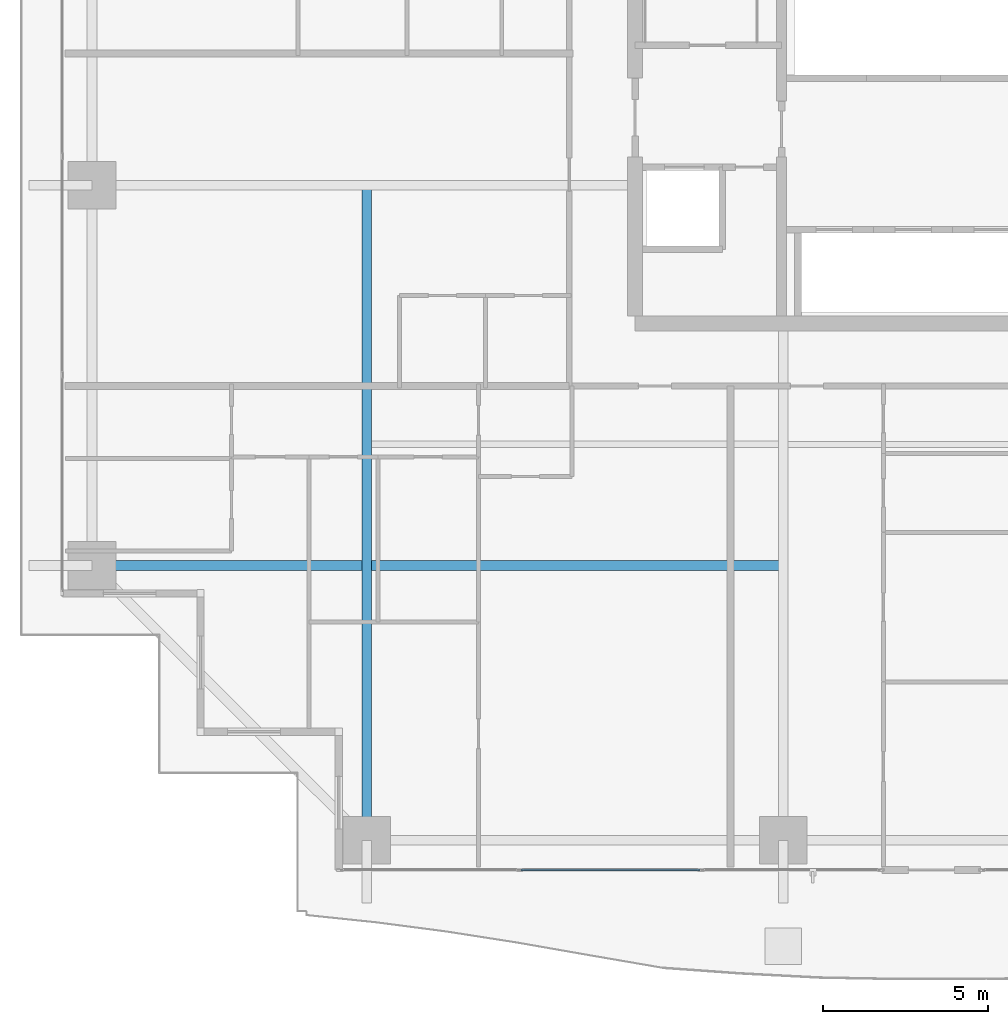
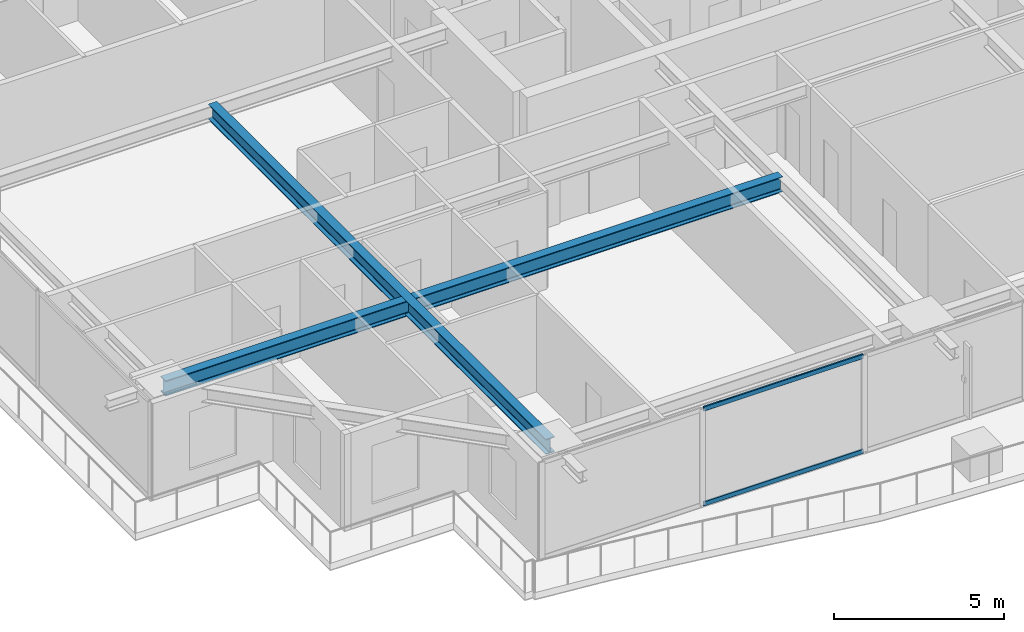
# One storey, part 4 of 39: 2 beams, 2 members, 1 element without a shape of its own.
"""IFC4 building model written with IfcOpenShell, lengths in metres."""

from ifc_helpers import new_model, si_unit, direction, frame, origin, origin_2d, place, context, subcontext, project, spatial, hollow_rectangle, i_section, extrude, source, transform, mapped, material, layer, layer_set, material_profile, profile_set, type_object, element, aggregate, save


model = new_model("IFC4")

# Units and contexts
model_context = context("Model", 3, precision=1e-05, world=origin(), true_north=direction((0.0, 1.0)))
body_context = subcontext(model_context, "Body", "Model", "MODEL_VIEW")
ifc_project = project(units=[si_unit("LENGTHUNIT", "METRE"), si_unit("AREAUNIT", "SQUARE_METRE"), si_unit("VOLUMEUNIT", "CUBIC_METRE"), si_unit("PLANEANGLEUNIT", "RADIAN"), si_unit("MASSUNIT", "GRAM", prefix="KILO")], contexts=[model_context])

# Site, building, storey
site_placement = place(None, origin())
site = spatial("IfcSite", under=ifc_project, at=site_placement, CompositionType="ELEMENT")
building_placement = place(site_placement, origin())
building = spatial("IfcBuilding", under=site, at=building_placement, Name="Serunith Strait Residences", CompositionType="ELEMENT")
storey_placement = place(building_placement, frame((0.0, 0.0, 64.199951171875)))
storey = spatial("IfcBuildingStorey", under=building, at=storey_placement, Name="L15", CompositionType="ELEMENT", Elevation=64.199951171875)

# Beams
ifc_material_1 = material(Name="Steel S355J2", Category="steel")
ifc_material_profile_1 = material_profile(ifc_material_1, i_section(OverallWidth=0.300048828125, OverallDepth=0.550048828125, WebThickness=0.014892578125, FlangeThickness=0.029052734375, FilletRadius=0.027099609375, at=origin_2d()), Name="HEB 550")
ifc_profile_set_1 = profile_set([ifc_material_profile_1], Name="Steel S355J2")
beam_type = type_object("IfcBeamType", Name="BM-HEB550", PredefinedType="BEAM", material=ifc_profile_set_1)
shared_shape_1 = source(origin(), body_context, "Body", "SweptSolid", [
    extrude(i_section(OverallWidth=0.300048828125, OverallDepth=0.550048828125, WebThickness=0.014892578125, FlangeThickness=0.029052734375, FilletRadius=0.027099609375, at=origin_2d()), origin(), (0.0, 0.0, 1.0), 19.89990234375),
])
beam_1_placement = place(storey_placement, frame((15.25, 21.0, 3.212158203125), z_axis=(0.0, -1.0, 0.0), x_axis=(1.0, 0.0, 0.0)))
element("IfcBeam", 1, at=beam_1_placement, inside=storey, type_object=beam_type, Name="L15 Orthogonal Corner Girder TC-S1", PredefinedType="BEAM", context=body_context, shape_type="MappedRepresentation", body=[
    mapped(shared_shape_1, transform((0.0, 0.0, 0.0), scale=1.0)),
])
shared_shape_2 = source(origin(), body_context, "Body", "SweptSolid", [
    extrude(i_section(OverallWidth=0.300048828125, OverallDepth=0.550048828125, WebThickness=0.014892578125, FlangeThickness=0.029052734375, FilletRadius=0.027099609375, at=origin_2d()), origin(), (0.0, 0.0, 1.0), 21.0),
])
beam_2_placement = place(storey_placement, frame((27.89990234375, 9.449951171875, 3.212158203125), z_axis=(-1.0, 0.0, 0.0), x_axis=(0.0, -1.0, 0.0)))
element("IfcBeam", 2, at=beam_2_placement, inside=storey, type_object=beam_type, Name="L15 Orthogonal Corner Girder TC-W1", PredefinedType="BEAM", context=body_context, shape_type="MappedRepresentation", body=[
    mapped(shared_shape_2, transform((0.0, 0.0, 0.0), scale=1.0)),
])

# Curtain wall, members
ifc_material_2 = material(Name="Pale-Champagne Anodised Aluminium", Category="aluminium")
ifc_layer = layer(ifc_material_2, 0.199951171875, Name="Pale-Champagne Anodised Aluminium")
ifc_layer_set = layer_set([ifc_layer], Name="Pale-Champagne Anodised Aluminium")
curtain_wall_type = type_object("IfcCurtainWallType", Name="CW-SYS1", PredefinedType="NOTDEFINED", material=ifc_layer_set)
curtain_wall_placement = place(storey_placement, origin())
curtain_wall = element("IfcCurtainWall", 3, at=curtain_wall_placement, inside=storey, type_object=curtain_wall_type, Name="L15 S Unitised Fritted Curtain Wall", PredefinedType="NOTDEFINED")
ifc_material_profile_2 = material_profile(ifc_material_2, hollow_rectangle(XDim=0.06005859375, YDim=0.159912109375, WallThickness=0.00341796875, InnerFilletRadius=0.00537109375, OuterFilletRadius=0.0087890625, at=origin_2d()), Name="ALU 160x60x3.5")
ifc_profile_set_2 = profile_set([ifc_material_profile_2], Name="Pale-Champagne Anodised Aluminium")
member_type = type_object("IfcMemberType", Name="CW-SYS1-TRAN", PredefinedType="USERDEFINED", material=ifc_profile_set_2)
shared_shape_3 = source(origin(), body_context, "Body", "SweptSolid", [
    extrude(hollow_rectangle(XDim=0.06005859375, YDim=0.159912109375, WallThickness=0.00341796875, InnerFilletRadius=0.00537109375, OuterFilletRadius=0.0087890625, at=origin_2d()), origin(), (0.0, 0.0, 1.0), 5.429931640625),
])
member_1_placement = place(storey_placement, frame((19.93505859375, 0.199951171875, 0.030029296875), z_axis=(1.0, 0.0, 0.0), x_axis=(0.0, 1.0, 0.0)))
member_1 = element("IfcMember", 4, at=member_1_placement, type_object=member_type, Name="CW-1 transom 2.1", ObjectType="TRANSOM", PredefinedType="USERDEFINED", context=body_context, shape_type="MappedRepresentation", body=[
    mapped(shared_shape_3, transform((0.0, 0.0, 0.0), scale=1.0)),
])
member_2_placement = place(storey_placement, frame((19.93505859375, 0.199951171875, 3.445068359375), z_axis=(1.0, 0.0, 0.0), x_axis=(0.0, 1.0, 0.0)))
member_2 = element("IfcMember", 5, at=member_2_placement, type_object=member_type, Name="CW-1 transom 2.2", ObjectType="TRANSOM", PredefinedType="USERDEFINED", context=body_context, shape_type="MappedRepresentation", body=[
    mapped(shared_shape_3, transform((0.0, 0.0, 0.0), scale=1.0)),
])
aggregate(curtain_wall, [member_1, member_2])

save(model, "model.ifc")
